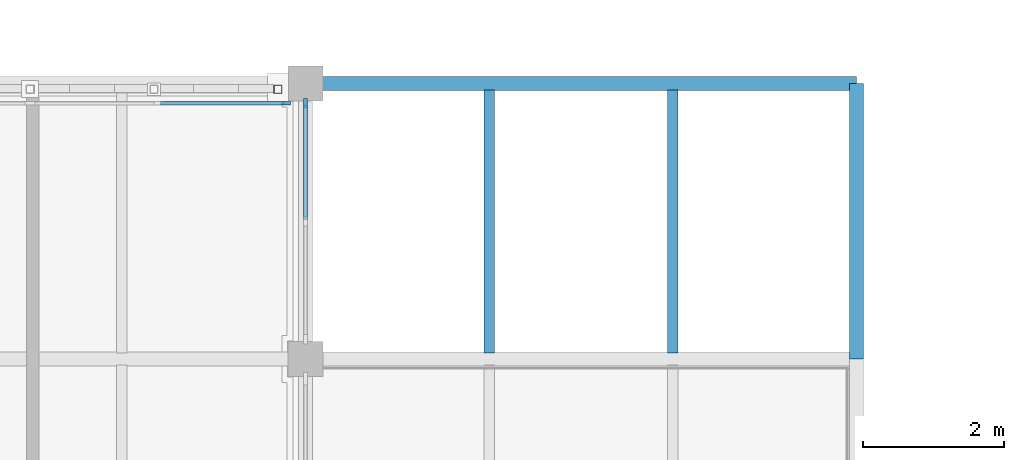
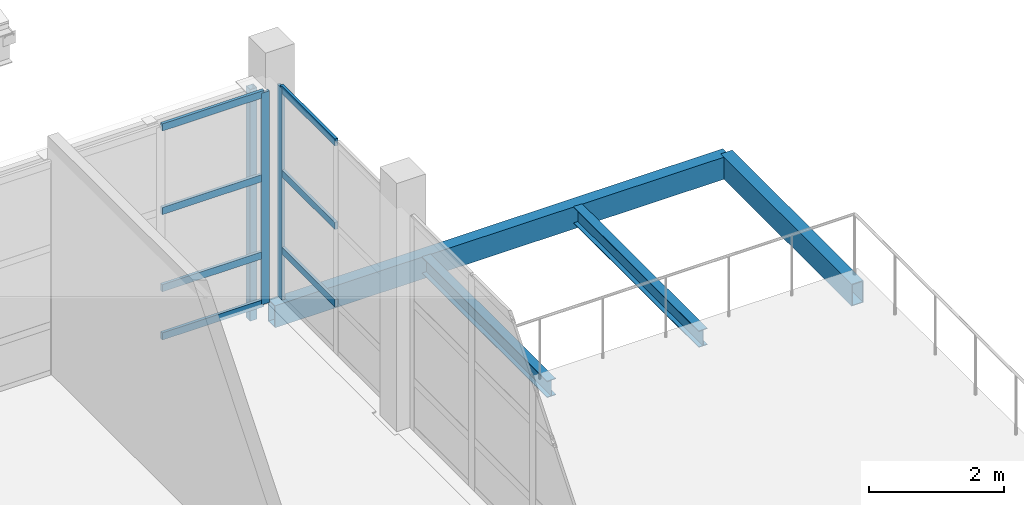
# One storey, part 12 of 89: 10 members, 4 beams, 2 elements without a shape of their own.
"""IFC4 building model written with IfcOpenShell, lengths in metres."""

from ifc_helpers import new_model, si_unit, direction, frame, origin, origin_2d, place, context, subcontext, project, spatial, rectangle, hollow_rectangle, i_section, extrude, material, layer, layer_set, material_profile, profile_set, type_object, element, aggregate, save


model = new_model("IFC4")

# Units and contexts
model_context = context("Model", 3, precision=1e-05, world=origin(), true_north=direction((0.0, 1.0)))
body_context = subcontext(model_context, "Body", "Model", "MODEL_VIEW")
ifc_project = project(units=[si_unit("LENGTHUNIT", "METRE"), si_unit("AREAUNIT", "SQUARE_METRE"), si_unit("VOLUMEUNIT", "CUBIC_METRE"), si_unit("PLANEANGLEUNIT", "RADIAN"), si_unit("MASSUNIT", "GRAM", prefix="KILO")], contexts=[model_context])

# Site, building, storey
site_placement = place(None, origin())
site = spatial("IfcSite", under=ifc_project, at=site_placement, CompositionType="ELEMENT")
building_placement = place(site_placement, origin())
building = spatial("IfcBuilding", under=site, at=building_placement, Name="Celorna Specialist Clinic", CompositionType="ELEMENT")
storey_placement = place(building_placement, frame((0.0, 0.0, 14.10009765625)))
storey = spatial("IfcBuildingStorey", under=building, at=storey_placement, Name="L03", CompositionType="ELEMENT", Elevation=14.10009765625)

# Beams
ifc_material_1 = material(Name="Steel S355", Category="steel")
ifc_material_profile_1 = material_profile(ifc_material_1, i_section(OverallWidth=0.14990234375, OverallDepth=0.300048828125, WebThickness=0.007080078125, FlangeThickness=0.0107421875, at=origin_2d()), Name="IPE 300")
ifc_profile_set_1 = profile_set([ifc_material_profile_1], Name="Steel S355")
beam_type_1 = type_object("IfcBeamType", Name="BM-13", PredefinedType="JOIST", material=ifc_profile_set_1)
for number, where, z_axis, x_axis, name in (
    (1, (41.60009765625, 23.488037109375, -0.41015625), (0.0, 1.0, 0.0), (-1.0, 0.0, 0.0), "Secondary floor joist BM-13 #2389"),
    (2, (44.199951171875, 23.488037109375, -0.41015625), (0.0, 1.0, 0.0), (-1.0, 0.0, 0.0), "Secondary floor joist BM-13 #2390"),
):
    element("IfcBeam", number, at=place(storey_placement, frame(where, z_axis=z_axis, x_axis=x_axis)), inside=storey, type_object=beam_type_1, Name=name, PredefinedType="JOIST", context=body_context, shape_type="SweptSolid", body=[
        extrude(i_section(OverallWidth=0.14990234375, OverallDepth=0.300048828125, WebThickness=0.007080078125, FlangeThickness=0.0107421875, at=origin_2d()), origin(), (0.0, 0.0, 1.0), 3.723876953125),
    ])
ifc_material_profile_2 = material_profile(ifc_material_1, hollow_rectangle(XDim=0.199951171875, YDim=0.39990234375, WallThickness=0.011962890625, at=origin_2d()), Name="RHS 200x400x12")
ifc_profile_set_2 = profile_set([ifc_material_profile_2], Name="Steel S355")
beam_type_2 = type_object("IfcBeamType", Name="BM-15", PredefinedType="SPANDREL", material=ifc_profile_set_2)
beam_1_placement = place(storey_placement, frame((39.0, 27.300048828125, -0.460205078125), z_axis=(1.0, 0.0, 0.0), x_axis=(0.0, 1.0, 0.0)))
element("IfcBeam", 3, at=beam_1_placement, inside=storey, type_object=beam_type_2, Name="Spandrel beam BM-15 #2378", PredefinedType="SPANDREL", context=body_context, shape_type="SweptSolid", body=[
    extrude(hollow_rectangle(XDim=0.199951171875, YDim=0.39990234375, WallThickness=0.011962890625, at=origin_2d()), origin(), (0.0, 0.0, 1.0), 7.800048828125),
])
beam_2_placement = place(storey_placement, frame((46.800048828125, 23.39990234375, -0.460205078125), z_axis=(0.0, 1.0, 0.0), x_axis=(-1.0, 0.0, 0.0)))
element("IfcBeam", 4, at=beam_2_placement, inside=storey, type_object=beam_type_2, Name="Spandrel beam BM-15 #2382", PredefinedType="SPANDREL", context=body_context, shape_type="SweptSolid", body=[
    extrude(hollow_rectangle(XDim=0.199951171875, YDim=0.39990234375, WallThickness=0.011962890625, at=origin_2d()), origin(), (0.0, 0.0, 1.0), 3.900146484375),
])

# Member
ifc_material_profile_3 = material_profile(ifc_material_1, hollow_rectangle(XDim=0.1201171875, YDim=0.1201171875, WallThickness=0.008056640625, at=origin_2d()), Name="SHS 120x120x8")
ifc_profile_set_3 = profile_set([ifc_material_profile_3], Name="Steel S355")
member_type_1 = type_object("IfcMemberType", Name="MB-11", PredefinedType="STUD", material=ifc_profile_set_3)
member_1_placement = place(storey_placement, frame((38.610107421875, 27.219970703125, -0.360107421875), z_axis=(0.0, 0.0, 1.0), x_axis=(1.0, 0.0, 0.0)))
element("IfcMember", 5, at=member_1_placement, inside=storey, type_object=member_type_1, Name="Perforated screen steel post #1840", PredefinedType="STUD", context=body_context, shape_type="SweptSolid", body=[
    extrude(hollow_rectangle(XDim=0.1201171875, YDim=0.1201171875, WallThickness=0.008056640625, at=origin_2d()), origin(), (0.0, 0.0, 1.0), 4.199951171875),
])

# Curtain wall, member
ifc_material_2 = material(Name="Thermally broken aluminium and solar-control glass curtain wall", Category="aluminium")
ifc_layer_1 = layer(ifc_material_2, 0.159912109375, Name="Thermally broken aluminium and solar-control glass curtain wall")
ifc_layer_set_1 = layer_set([ifc_layer_1], Name="Thermally broken aluminium and solar-control glass curtain wall")
curtain_wall_type_1 = type_object("IfcCurtainWallType", Name="CW-97", PredefinedType="NOTDEFINED", material=ifc_layer_set_1)
curtain_wall_1_placement = place(storey_placement, origin())
curtain_wall_1 = element("IfcCurtainWall", 6, at=curtain_wall_1_placement, inside=storey, type_object=curtain_wall_type_1, Name="Curtain wall CW-97 #174", PredefinedType="NOTDEFINED")
ifc_material_3 = material(Name="Anodized aluminium mullion", Category="aluminium")
ifc_material_profile_4 = material_profile(ifc_material_3, rectangle(XDim=0.050048828125, YDim=0.139892578125, at=origin_2d()), Name="ALU MULLION 50x140")
ifc_profile_set_4 = profile_set([ifc_material_profile_4], Name="Anodized aluminium mullion")
member_type_2 = type_object("IfcMemberType", Name="ML-03", PredefinedType="MULLION", material=ifc_profile_set_4)
member_2_placement = place(storey_placement, frame((38.720947265625, 27.02001953125, 0.0), z_axis=(0.0, 0.0, 1.0), x_axis=(0.0, 1.0, 0.0)))
member_2 = element("IfcMember", 7, at=member_2_placement, type_object=member_type_2, Name="CW-97 mullion 5", PredefinedType="MULLION", context=body_context, shape_type="SweptSolid", body=[
    extrude(rectangle(XDim=0.050048828125, YDim=0.139892578125, at=origin_2d()), origin(), (0.0, 0.0, 1.0), 3.83984375),
])

ifc_layer_2 = layer(ifc_material_2, 0.159912109375, Name="Thermally broken aluminium and solar-control glass curtain wall")
ifc_layer_set_2 = layer_set([ifc_layer_2], Name="Thermally broken aluminium and solar-control glass curtain wall")
curtain_wall_type_2 = type_object("IfcCurtainWallType", Name="CW-101", PredefinedType="NOTDEFINED", material=ifc_layer_set_2)
curtain_wall_2_placement = place(storey_placement, origin())
curtain_wall_2 = element("IfcCurtainWall", 8, at=curtain_wall_2_placement, inside=storey, type_object=curtain_wall_type_2, Name="Curtain wall CW-101 #178", PredefinedType="NOTDEFINED")
member_3_placement = place(storey_placement, frame((39.0, 27.02099609375, 0.0), z_axis=(0.0, 0.0, 1.0), x_axis=(1.0, 0.0, 0.0)))
member_3 = element("IfcMember", 9, at=member_3_placement, type_object=member_type_2, Name="CW-101 mullion 1", PredefinedType="MULLION", context=body_context, shape_type="SweptSolid", body=[
    extrude(rectangle(XDim=0.050048828125, YDim=0.139892578125, at=origin_2d()), origin(), (0.0, 0.0, 1.0), 3.83984375),
])

# Member
ifc_material_4 = material(Name="Anodized aluminium transom", Category="aluminium")
ifc_material_profile_5 = material_profile(ifc_material_4, rectangle(XDim=0.050048828125, YDim=0.1298828125, at=origin_2d()), Name="ALU TRANSOM 50x130")
ifc_profile_set_5 = profile_set([ifc_material_profile_5], Name="Anodized aluminium transom")
member_type_3 = type_object("IfcMemberType", Name="TR-01", PredefinedType="USERDEFINED", material=ifc_profile_set_5)
member_4_placement = place(storey_placement, frame((36.947998046875, 27.02001953125, 0.02490234375), z_axis=(1.0, 0.0, 0.0), x_axis=(0.0, 1.0, 0.0)))
member_4 = element("IfcMember", 10, at=member_4_placement, type_object=member_type_3, Name="CW-97 transom 4.1", ObjectType="TRANSOM", PredefinedType="USERDEFINED", context=body_context, shape_type="SweptSolid", body=[
    extrude(rectangle(XDim=0.050048828125, YDim=0.1298828125, at=origin_2d()), origin(), (0.0, 0.0, 1.0), 1.748046875),
])

member_5_placement = place(storey_placement, frame((36.947998046875, 27.02001953125, 0.89990234375), z_axis=(1.0, 0.0, 0.0), x_axis=(0.0, 1.0, 0.0)))
member_5 = element("IfcMember", 11, at=member_5_placement, type_object=member_type_3, Name="CW-97 transom 4.2", ObjectType="TRANSOM", PredefinedType="USERDEFINED", context=body_context, shape_type="SweptSolid", body=[
    extrude(rectangle(XDim=0.050048828125, YDim=0.1298828125, at=origin_2d()), origin(), (0.0, 0.0, 1.0), 1.748046875),
])

member_6_placement = place(storey_placement, frame((36.947998046875, 27.02001953125, 2.2998046875), z_axis=(1.0, 0.0, 0.0), x_axis=(0.0, 1.0, 0.0)))
member_6 = element("IfcMember", 12, at=member_6_placement, type_object=member_type_3, Name="CW-97 transom 4.3", ObjectType="TRANSOM", PredefinedType="USERDEFINED", context=body_context, shape_type="SweptSolid", body=[
    extrude(rectangle(XDim=0.050048828125, YDim=0.1298828125, at=origin_2d()), origin(), (0.0, 0.0, 1.0), 1.748046875),
])

member_7_placement = place(storey_placement, frame((36.947998046875, 27.02001953125, 3.81494140625), z_axis=(1.0, 0.0, 0.0), x_axis=(0.0, 1.0, 0.0)))
member_7 = element("IfcMember", 13, at=member_7_placement, type_object=member_type_3, Name="CW-97 transom 4.4", ObjectType="TRANSOM", PredefinedType="USERDEFINED", context=body_context, shape_type="SweptSolid", body=[
    extrude(rectangle(XDim=0.050048828125, YDim=0.1298828125, at=origin_2d()), origin(), (0.0, 0.0, 1.0), 1.748046875),
])

aggregate(curtain_wall_1, [member_2, member_4, member_5, member_6, member_7])

member_8_placement = place(storey_placement, frame((39.0, 26.99609375, 0.89990234375), z_axis=(0.0, -1.0, 0.0), x_axis=(1.0, 0.0, 0.0)))
member_8 = element("IfcMember", 14, at=member_8_placement, type_object=member_type_3, Name="CW-101 transom 1.2", ObjectType="TRANSOM", PredefinedType="USERDEFINED", context=body_context, shape_type="SweptSolid", body=[
    extrude(rectangle(XDim=0.050048828125, YDim=0.1298828125, at=origin_2d()), origin(), (0.0, 0.0, 1.0), 1.62109375),
])

member_9_placement = place(storey_placement, frame((39.0, 26.99609375, 2.2998046875), z_axis=(0.0, -1.0, 0.0), x_axis=(1.0, 0.0, 0.0)))
member_9 = element("IfcMember", 15, at=member_9_placement, type_object=member_type_3, Name="CW-101 transom 1.3", ObjectType="TRANSOM", PredefinedType="USERDEFINED", context=body_context, shape_type="SweptSolid", body=[
    extrude(rectangle(XDim=0.050048828125, YDim=0.1298828125, at=origin_2d()), origin(), (0.0, 0.0, 1.0), 1.62109375),
])

member_10_placement = place(storey_placement, frame((39.0, 26.99609375, 3.81494140625), z_axis=(0.0, -1.0, 0.0), x_axis=(1.0, 0.0, 0.0)))
member_10 = element("IfcMember", 16, at=member_10_placement, type_object=member_type_3, Name="CW-101 transom 1.4", ObjectType="TRANSOM", PredefinedType="USERDEFINED", context=body_context, shape_type="SweptSolid", body=[
    extrude(rectangle(XDim=0.050048828125, YDim=0.1298828125, at=origin_2d()), origin(), (0.0, 0.0, 1.0), 1.62109375),
])

aggregate(curtain_wall_2, [member_3, member_8, member_9, member_10])

save(model, "model.ifc")
